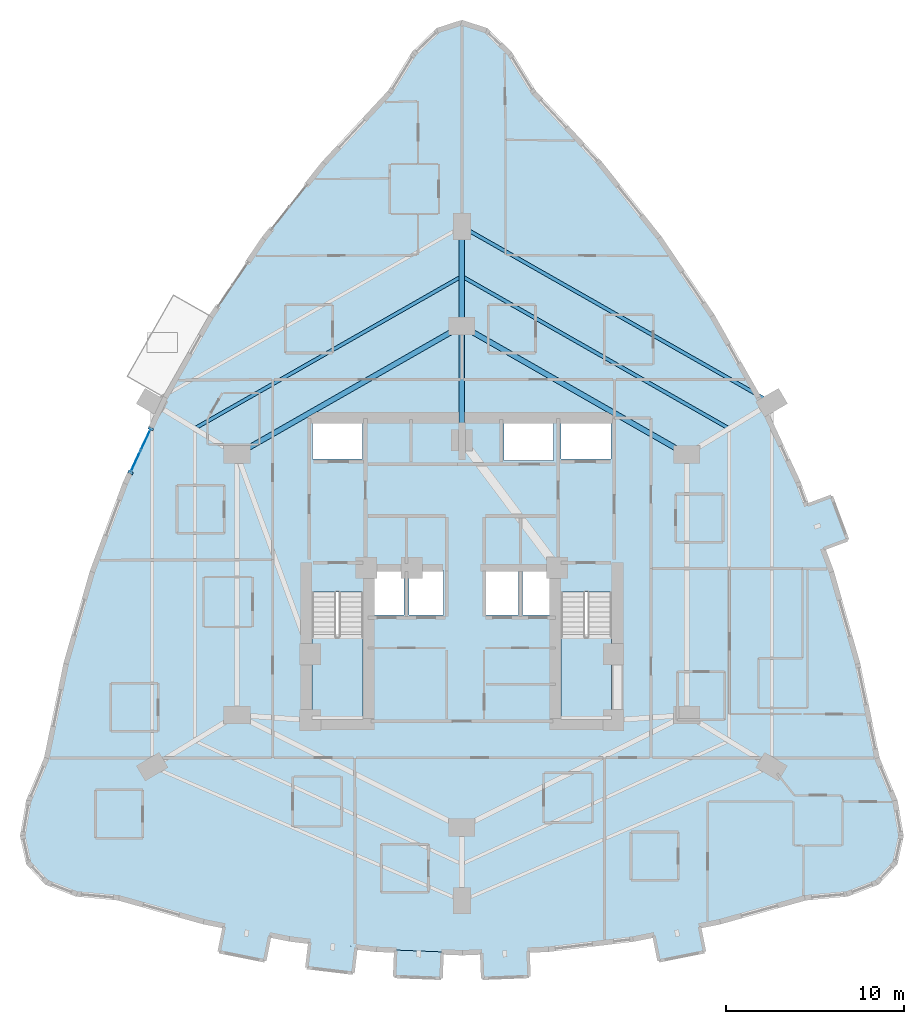
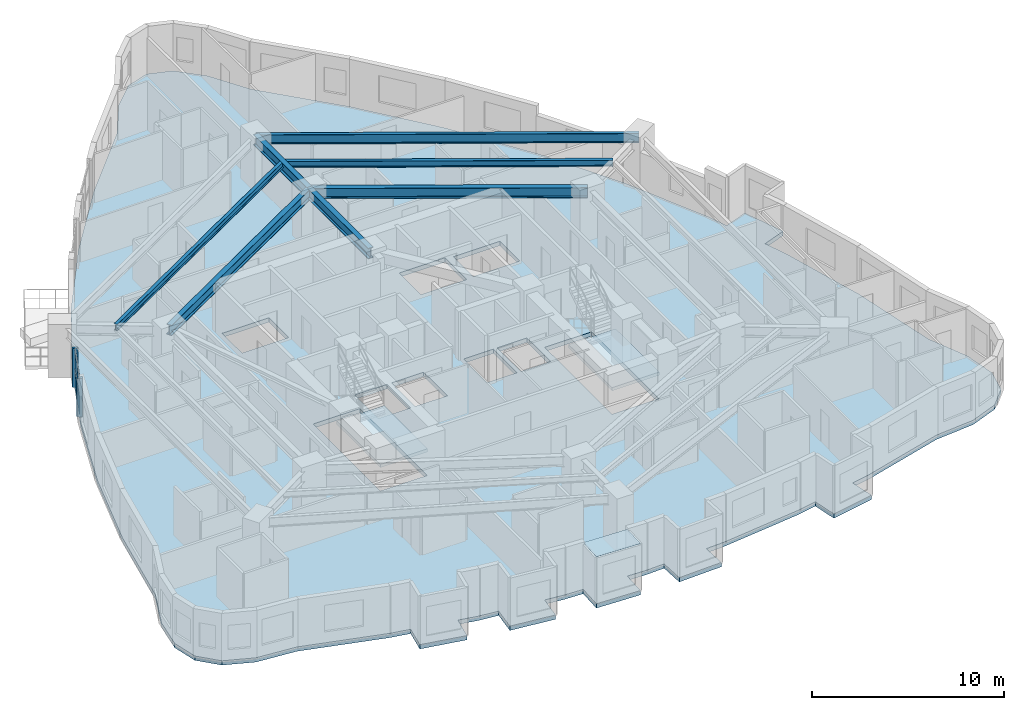
# One storey, part 7 of 17: 7 beams, 7 plates, 3 slabs, 3 elements without a shape of their own.
"""IFC4 building model written with IfcOpenShell, lengths in metres."""

from ifc_helpers import new_model, si_unit, direction, frame, origin, origin_2d, place, context, subcontext, project, spatial, polyline, rectangle, i_section, outline, extrude, material, layer, layer_set, material_profile, profile_set, type_object, element, aggregate, save


model = new_model("IFC4")

# Units and contexts
model_context = context("Model", 3, precision=1e-05, world=origin(), true_north=direction((0.0, 1.0)))
body_context = subcontext(model_context, "Body", "Model", "MODEL_VIEW")
ifc_project = project(units=[si_unit("LENGTHUNIT", "METRE"), si_unit("AREAUNIT", "SQUARE_METRE"), si_unit("VOLUMEUNIT", "CUBIC_METRE"), si_unit("PLANEANGLEUNIT", "RADIAN"), si_unit("MASSUNIT", "GRAM", prefix="KILO")], contexts=[model_context])

# Site, building, storey
site_placement = place(None, origin())
site = spatial("IfcSite", under=ifc_project, at=site_placement, CompositionType="ELEMENT")
building_placement = place(site_placement, origin())
building = spatial("IfcBuilding", under=site, at=building_placement, Name="Miruveldt Soraemaru", CompositionType="ELEMENT")
storey_placement = place(building_placement, frame((0.0, 0.0, 53.0)))
storey = spatial("IfcBuildingStorey", under=building, at=storey_placement, Name="L14", CompositionType="ELEMENT", Elevation=53.0)

# Beams
ifc_material_1 = material(Name="Steel SM355 (355 MPa)", Category="steel")
ifc_material_profile_1 = material_profile(ifc_material_1, i_section(OverallWidth=0.199951171875, OverallDepth=0.39990234375, WebThickness=0.008056640625, FlangeThickness=0.012939453125, FilletRadius=0.01611328125, at=origin_2d()), Name="Steel SM355 (355 MPa)", Category="steel")
ifc_profile_set_1 = profile_set([ifc_material_profile_1], Name="Steel SM355 (355 MPa)")
beam_type_1 = type_object("IfcBeamType", Name="BM-ST-H400", PredefinedType="JOIST", material=ifc_profile_set_1)
for number, where, z_axis, x_axis, name in (
    (1, (44.0, 60.384033203125, 2.925048828125), (0.868865604585, -0.495048039254, 0.0), (0.495048039254, 0.868865604585, 0.0), "L14 Outer Bay Floor Joist 1"),
    (2, (29.02197265625, 51.85009765625, 2.925048828125), (0.868865604585, 0.495048039254, 0.0), (-0.495048039254, 0.868865604585, 0.0), "L14 Outer Bay Floor Joist 6"),
):
    element("IfcBeam", number, at=place(storey_placement, frame(where, z_axis=z_axis, x_axis=x_axis)), inside=storey, type_object=beam_type_1, Name=name, PredefinedType="JOIST", context=body_context, shape_type="SweptSolid", body=[
        extrude(i_section(OverallWidth=0.199951171875, OverallDepth=0.39990234375, WebThickness=0.008056640625, FlangeThickness=0.012939453125, FilletRadius=0.01611328125, at=origin_2d()), origin(), (0.0, 0.0, 1.0), 17.238525390625),
    ])
ifc_material_profile_2 = material_profile(ifc_material_1, i_section(OverallWidth=0.199951171875, OverallDepth=0.60009765625, WebThickness=0.010986328125, FlangeThickness=0.01708984375, FilletRadius=0.02197265625, at=origin_2d()), Name="Steel SM355 (355 MPa)", Category="steel")
ifc_profile_set_2 = profile_set([ifc_material_profile_2], Name="Steel SM355 (355 MPa)")
beam_type_2 = type_object("IfcBeamType", Name="BM-ST-H600", PredefinedType="SPANDREL", material=ifc_profile_set_2)
beam_1_placement = place(storey_placement, frame((44.0, 63.16796875, 2.824951171875), z_axis=(0.869314947608, -0.494258557706, 0.0), x_axis=(0.494258557706, 0.869314947608, 0.0)))
element("IfcBeam", 3, at=beam_1_placement, inside=storey, type_object=beam_type_2, Name="L14 Zone-1 Spandrel Beam 1", PredefinedType="SPANDREL", context=body_context, shape_type="SweptSolid", body=[
    extrude(i_section(OverallWidth=0.199951171875, OverallDepth=0.60009765625, WebThickness=0.010986328125, FlangeThickness=0.01708984375, FilletRadius=0.02197265625, at=origin_2d()), origin(), (0.0, 0.0, 1.0), 19.965087890625),
])
ifc_material_profile_3 = material_profile(ifc_material_1, i_section(OverallWidth=0.300048828125, OverallDepth=0.64990234375, WebThickness=0.012939453125, FlangeThickness=0.02197265625, FilletRadius=0.02587890625, at=origin_2d()), Name="Steel SM355 (355 MPa)", Category="steel")
ifc_profile_set_3 = profile_set([ifc_material_profile_3], Name="Steel SM355 (355 MPa)")
beam_type_3 = type_object("IfcBeamType", Name="BM-ST-H650", PredefinedType="BEAM", material=ifc_profile_set_3)
beam_2_placement = place(storey_placement, frame((44.0, 57.60009765625, 2.800048828125), z_axis=(0.868239001029, -0.496146185203, 0.0), x_axis=(0.496146185203, 0.868239001029, 0.0)))
element("IfcBeam", 4, at=beam_2_placement, inside=storey, type_object=beam_type_3, Name="L14 Inner Ring Girder 1", PredefinedType="BEAM", context=body_context, shape_type="SweptSolid", body=[
    extrude(i_section(OverallWidth=0.300048828125, OverallDepth=0.64990234375, WebThickness=0.012939453125, FlangeThickness=0.02197265625, FilletRadius=0.02587890625, at=origin_2d()), origin(), (0.0, 0.0, 1.0), 14.51220703125),
])
beam_3_placement = place(storey_placement, frame((44.0, 51.199951171875, 2.800048828125), z_axis=(0.0, 1.0, 0.0), x_axis=(-1.0, 0.0, 0.0)))
element("IfcBeam", 5, at=beam_3_placement, inside=storey, type_object=beam_type_3, Name="L14 Core-to-Inner Radial Girder 1", PredefinedType="BEAM", context=body_context, shape_type="SweptSolid", body=[
    extrude(i_section(OverallWidth=0.300048828125, OverallDepth=0.64990234375, WebThickness=0.012939453125, FlangeThickness=0.02197265625, FilletRadius=0.02587890625, at=origin_2d()), origin(), (0.0, 0.0, 1.0), 6.400146484375),
])
beam_4_placement = place(storey_placement, frame((31.39990234375, 50.39990234375, 2.800048828125), z_axis=(0.868239001029, 0.496146185203, 0.0), x_axis=(-0.496146185203, 0.868239001029, 0.0)))
element("IfcBeam", 6, at=beam_4_placement, inside=storey, type_object=beam_type_3, Name="L14 Inner Ring Girder 6", PredefinedType="BEAM", context=body_context, shape_type="SweptSolid", body=[
    extrude(i_section(OverallWidth=0.300048828125, OverallDepth=0.64990234375, WebThickness=0.012939453125, FlangeThickness=0.02197265625, FilletRadius=0.02587890625, at=origin_2d()), origin(), (0.0, 0.0, 1.0), 14.51220703125),
])
beam_5_placement = place(storey_placement, frame((44.0, 57.60009765625, 2.800048828125), z_axis=(0.0, 1.0, 0.0), x_axis=(-1.0, 0.0, 0.0)))
element("IfcBeam", 7, at=beam_5_placement, inside=storey, type_object=beam_type_3, Name="L14 Zone-1 Radial Girder 1", PredefinedType="BEAM", context=body_context, shape_type="SweptSolid", body=[
    extrude(i_section(OverallWidth=0.300048828125, OverallDepth=0.64990234375, WebThickness=0.012939453125, FlangeThickness=0.02197265625, FilletRadius=0.02587890625, at=origin_2d()), origin(), (0.0, 0.0, 1.0), 5.56787109375),
])

# Curtain wall, plates
ifc_material_2 = material(Name="Anodised aluminium EN AW-6063 T6", Category="aluminium")
ifc_layer_1 = layer(ifc_material_2, 0.199951171875, Name="Anodised aluminium EN AW-6063 T6", Category="aluminium")
ifc_layer_set_1 = layer_set([ifc_layer_1], Name="Anodised aluminium EN AW-6063 T6")
curtain_wall_type = type_object("IfcCurtainWallType", Name="CW-SYS-3", PredefinedType="USERDEFINED", material=ifc_layer_set_1)
curtain_wall_placement = place(storey_placement, origin())
curtain_wall = element("IfcCurtainWall", 8, at=curtain_wall_placement, inside=storey, type_object=curtain_wall_type, Name="L14 Curtain Wall Bay 11", ObjectType="UNITISED GLAZING", PredefinedType="USERDEFINED")
ifc_material_3 = material(Name="Triple low-e insulated glazing", Category="glass")
ifc_layer_2 = layer(ifc_material_3, 0.030029296875, Name="Triple low-e insulated glazing", Category="glass")
ifc_layer_set_2 = layer_set([ifc_layer_2], Name="Triple low-e insulated glazing")
plate_type_1 = type_object("IfcPlateType", Name="CWP-3", PredefinedType="CURTAIN_PANEL", material=ifc_layer_set_2)
plate_1_placement = place(storey_placement, frame((26.275390625, 51.21484375, 0.070068359375), z_axis=(0.0, 0.0, 1.0), x_axis=(-0.422332498904, -0.906440985596, 0.0)))
plate_1 = element("IfcPlate", 9, at=plate_1_placement, type_object=plate_type_1, Name="CW-3 panel 1.1", PredefinedType="CURTAIN_PANEL", context=body_context, shape_type="SweptSolid", body=[
    extrude(rectangle(XDim=1.25146484375, YDim=0.030029296875, at=origin_2d()), origin(), (0.0, 0.0, 1.0), 1.12646484375),
])
plate_2_placement = place(storey_placement, frame((26.275390625, 51.21484375, 1.2666015625), z_axis=(0.0, 0.0, 1.0), x_axis=(-0.422332498904, -0.906440985596, 0.0)))
plate_2 = element("IfcPlate", 10, at=plate_2_placement, type_object=plate_type_1, Name="CW-3 panel 1.2", PredefinedType="CURTAIN_PANEL", context=body_context, shape_type="SweptSolid", body=[
    extrude(rectangle(XDim=1.25146484375, YDim=0.030029296875, at=origin_2d()), origin(), (0.0, 0.0, 1.0), 1.12646484375),
])
plate_3_placement = place(storey_placement, frame((25.71728515625, 50.016845703125, 0.070068359375), z_axis=(0.0, 0.0, 1.0), x_axis=(-0.422332498904, -0.906440985596, 0.0)))
plate_3 = element("IfcPlate", 11, at=plate_3_placement, type_object=plate_type_1, Name="CW-3 panel 2.1", PredefinedType="CURTAIN_PANEL", context=body_context, shape_type="SweptSolid", body=[
    extrude(rectangle(XDim=1.25146484375, YDim=0.030029296875, at=origin_2d()), origin(), (0.0, 0.0, 1.0), 1.12646484375),
])
plate_4_placement = place(storey_placement, frame((25.71728515625, 50.016845703125, 1.2666015625), z_axis=(0.0, 0.0, 1.0), x_axis=(-0.422332498904, -0.906440985596, 0.0)))
plate_4 = element("IfcPlate", 12, at=plate_4_placement, type_object=plate_type_1, Name="CW-3 panel 2.2", PredefinedType="CURTAIN_PANEL", context=body_context, shape_type="SweptSolid", body=[
    extrude(rectangle(XDim=1.25146484375, YDim=0.030029296875, at=origin_2d()), origin(), (0.0, 0.0, 1.0), 1.12646484375),
])
aggregate(curtain_wall, [plate_1, plate_2, plate_3, plate_4])

# Plates
ifc_layer_3 = layer(ifc_material_2, 0.030029296875, Name="Anodised aluminium EN AW-6063 T6", Category="aluminium")
ifc_layer_set_3 = layer_set([ifc_layer_3], Name="Anodised aluminium EN AW-6063 T6")
plate_type_2 = type_object("IfcPlateType", Name="PLT-JAMB-30", PredefinedType="SHEET", material=ifc_layer_set_3)
for number, where, z_axis, x_axis, name in (
    (13, (26.569091796875, 51.845458984375, 0.0), (0.0, 0.0, 1.0), (-0.422301874901, -0.906455253421, 0.0), "L14 Curtain Wall Jamb Closure Trim 11JL"),
    (14, (25.42333984375, 49.38623046875, 0.0), (0.0, 0.0, 1.0), (-0.422301874901, -0.906455253421, 0.0), "L14 Curtain Wall Jamb Closure Trim 11JR"),
):
    element("IfcPlate", number, at=place(storey_placement, frame(where, z_axis=z_axis, x_axis=x_axis)), inside=storey, type_object=plate_type_2, Name=name, PredefinedType="SHEET", context=body_context, shape_type="SweptSolid", body=[
        extrude(rectangle(XDim=0.139892578125, YDim=0.300048828125, at=origin_2d()), origin(), (0.0, 0.0, 1.0), 2.462890625),
    ])
ifc_material_4 = material(Name="Standing-seam titanium-zinc sheet", Category="aluminium")
ifc_layer_4 = layer(ifc_material_4, 0.011962890625, Name="Standing-seam titanium-zinc sheet", Category="aluminium")
ifc_layer_set_4 = layer_set([ifc_layer_4], Name="Standing-seam titanium-zinc sheet")
plate_type_3 = type_object("IfcPlateType", Name="PLT-ZINC-12", PredefinedType="SHEET", material=ifc_layer_set_4)
plate_5_placement = place(storey_placement, frame((0.0, 0.0, 2.97509765625)))
element("IfcPlate", 15, at=plate_5_placement, inside=storey, type_object=plate_type_3, Name="L14 Bay Window Zinc Hood Sheet 3", PredefinedType="SHEET", context=body_context, shape_type="SweptSolid", body=[
    extrude(outline(polyline([(40.29443359375, 22.62353515625), (42.892333984375, 22.519775390625), (42.833251953125, 21.041015625), (40.2353515625, 21.144775390625), (40.29443359375, 22.62353515625)])), origin(), (0.0, 0.0, 1.0), 0.011962890625),
])

# Stair, slab
ifc_material_5 = material(Name="Concrete C40/50 (40 MPa)", Category="concrete")
stair_type = type_object("IfcStairType", Name="STAIR-DL-340", PredefinedType="HALF_TURN_STAIR", material=ifc_material_5)
stair_1_placement = place(storey_placement, origin())
stair_1 = element("IfcStair", 16, at=stair_1_placement, inside=storey, type_object=stair_type, Name="L14 Protected Exit Stair ST-1", PredefinedType="HALF_TURN_STAIR")
ifc_layer_5 = layer(ifc_material_5, 0.199951171875, Name="Concrete C40/50 (40 MPa)", Category="concrete")
ifc_layer_set_5 = layer_set([ifc_layer_5], Name="Concrete C40/50 (40 MPa)")
slab_type_1 = type_object("IfcSlabType", Name="SLAB-LAND-200", PredefinedType="LANDING", material=ifc_layer_set_5)
slab_1_placement = place(storey_placement, frame((0.0, 0.0, 1.5)))
slab_1 = element("IfcSlab", 17, at=slab_1_placement, type_object=slab_type_1, Name="ST-1 landing 1", PredefinedType="LANDING", context=body_context, shape_type="SweptSolid", body=[
    extrude(outline(polyline([(35.60009765625, 40.197998046875), (35.60009765625, 35.64990234375), (38.449951171875, 35.64990234375), (38.449951171875, 40.197998046875), (35.60009765625, 40.197998046875)])), origin(), (0.0, 0.0, 1.0), 0.199951171875),
])
aggregate(stair_1, [slab_1])

stair_2_placement = place(storey_placement, origin())
stair_2 = element("IfcStair", 18, at=stair_2_placement, inside=storey, type_object=stair_type, Name="L14 Protected Exit Stair ST-2", PredefinedType="HALF_TURN_STAIR")
slab_2_placement = place(storey_placement, frame((0.0, 0.0, 1.5)))
slab_2 = element("IfcSlab", 19, at=slab_2_placement, type_object=slab_type_1, Name="ST-2 landing 1", PredefinedType="LANDING", context=body_context, shape_type="SweptSolid", body=[
    extrude(outline(polyline([(49.550048828125, 40.197998046875), (49.550048828125, 35.64990234375), (52.39990234375, 35.64990234375), (52.39990234375, 40.197998046875), (49.550048828125, 40.197998046875)])), origin(), (0.0, 0.0, 1.0), 0.199951171875),
])
aggregate(stair_2, [slab_2])

# Slab
ifc_layer_6 = layer(ifc_material_5, 0.27490234375, Name="Concrete C40/50 (40 MPa)", Category="concrete")
ifc_layer_set_6 = layer_set([ifc_layer_6], Name="Concrete C40/50 (40 MPa)")
slab_type_2 = type_object("IfcSlabType", Name="SLAB-RES1-275", PredefinedType="FLOOR", material=ifc_layer_set_6)
slab_3_placement = place(storey_placement, frame((0.0, 0.0, -0.27490234375)))
element("IfcSlab", 20, at=slab_3_placement, inside=storey, type_object=slab_type_2, Name="L14 Structural Floor Slab", PredefinedType="FLOOR", context=body_context, shape_type="SweptSolid", body=[
    extrude(outline(polyline([(40.2353515625, 21.144775390625), (40.29443359375, 22.62353515625), (39.186767578125, 22.66796875), (36.780029296875, 22.956787109375), (38.07080078125, 22.8017578125), (37.89453125, 21.332275390625), (35.31298828125, 21.64208984375), (35.489501953125, 23.111572265625), (34.37353515625, 23.24560546875), (33.24169921875, 23.471923828125), (32.951416015625, 22.0205078125), (30.40185546875, 22.530517578125), (30.692138671875, 23.981689453125), (31.966796875, 23.726806640625), (29.560302734375, 24.208251953125), (24.746826171875, 25.555908203125), (22.40380859375, 25.772216796875), (20.73046875, 26.421630859375), (19.726318359375, 27.50390625), (19.3916015625, 29.018798828125), (19.726318359375, 30.966796875), (20.73046875, 33.347412109375), (21.829833984375, 38.68994140625), (23.302734375, 43.840087890625), (25.149169921875, 48.79736328125), (27.368896484375, 53.562255859375), (29.96240234375, 58.134765625), (32.92919921875, 62.514404296875), (36.26953125, 66.701904296875), (39.9833984375, 70.696533203125), (41.322265625, 72.86083984375), (42.6611328125, 74.159423828125), (44.0, 74.59228515625), (45.3388671875, 74.159423828125), (46.677734375, 72.86083984375), (48.0166015625, 70.696533203125), (51.73046875, 66.701904296875), (55.07080078125, 62.514404296875), (58.03759765625, 58.134765625), (60.631103515625, 53.562255859375), (62.850830078125, 48.79736328125), (63.774169921875, 46.318603515625), (63.3203125, 47.536865234375), (64.707275390625, 48.053466796875), (65.61474609375, 45.6171875), (64.227783203125, 45.1005859375), (64.697265625, 43.840087890625), (66.170166015625, 38.68994140625), (67.26953125, 33.347412109375), (68.273681640625, 30.966796875), (68.6083984375, 29.018798828125), (68.273681640625, 27.50390625), (67.26953125, 26.421630859375), (65.59619140625, 25.772216796875), (63.253173828125, 25.555908203125), (58.439697265625, 24.208251953125), (57.307861328125, 23.981689453125), (57.59814453125, 22.530517578125), (55.048583984375, 22.0205078125), (54.75830078125, 23.471923828125), (53.62646484375, 23.24560546875), (48.813232421875, 22.66796875), (47.70556640625, 22.62353515625), (47.7646484375, 21.144775390625), (45.166748046875, 21.041015625), (45.107666015625, 22.519775390625), (44.0, 22.475341796875), (42.892333984375, 22.519775390625), (42.833251953125, 21.041015625), (40.2353515625, 21.144775390625)]), holes=[polyline([(35.614990234375, 35.6650390625), (38.43505859375, 35.6650390625), (38.43505859375, 42.68505859375), (35.614990234375, 42.68505859375), (35.614990234375, 35.6650390625)]), polyline([(49.56494140625, 35.6650390625), (52.385009765625, 35.6650390625), (52.385009765625, 42.68505859375), (49.56494140625, 42.68505859375), (49.56494140625, 35.6650390625)]), polyline([(40.764892578125, 41.4150390625), (40.764892578125, 43.885009765625), (38.81494140625, 43.885009765625), (38.81494140625, 41.4150390625), (40.764892578125, 41.4150390625)]), polyline([(42.965087890625, 41.4150390625), (42.965087890625, 43.885009765625), (41.034912109375, 43.885009765625), (41.034912109375, 41.4150390625), (42.965087890625, 41.4150390625)]), polyline([(47.1650390625, 41.4150390625), (47.1650390625, 43.885009765625), (45.364990234375, 43.885009765625), (45.364990234375, 41.4150390625), (47.1650390625, 41.4150390625)]), polyline([(49.18505859375, 41.4150390625), (49.18505859375, 43.885009765625), (47.39501953125, 43.885009765625), (47.39501953125, 41.4150390625), (49.18505859375, 41.4150390625)]), polyline([(38.445068359375, 50.135009765625), (38.445068359375, 52.205078125), (35.635009765625, 52.205078125), (35.635009765625, 50.135009765625), (38.445068359375, 50.135009765625)]), polyline([(49.554931640625, 50.135009765625), (52.364990234375, 50.135009765625), (52.364990234375, 52.205078125), (49.554931640625, 52.205078125), (49.554931640625, 50.135009765625)]), polyline([(46.364990234375, 50.06494140625), (49.135009765625, 50.06494140625), (49.135009765625, 52.3349609375), (46.364990234375, 52.3349609375), (46.364990234375, 50.06494140625)])]), origin(), (0.0, 0.0, 1.0), 0.27490234375),
])

save(model, "model.ifc")
